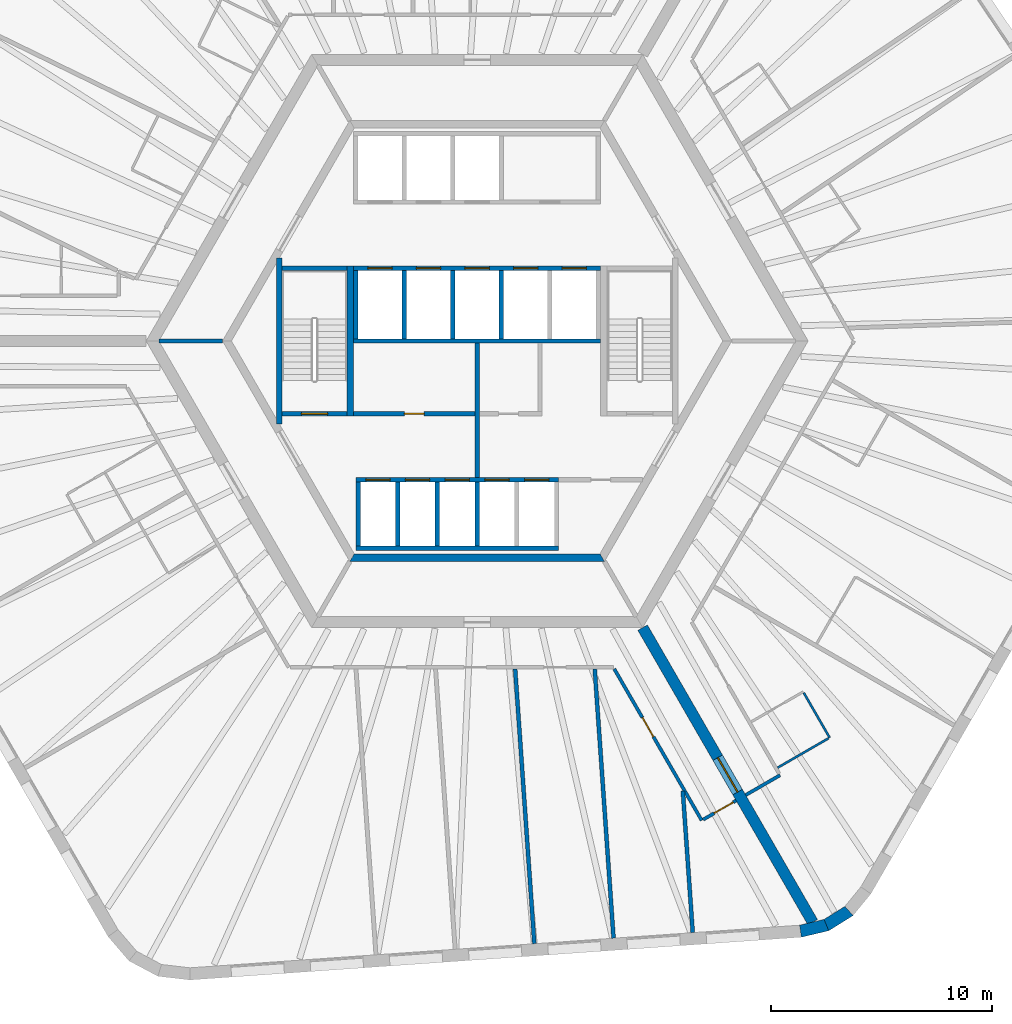
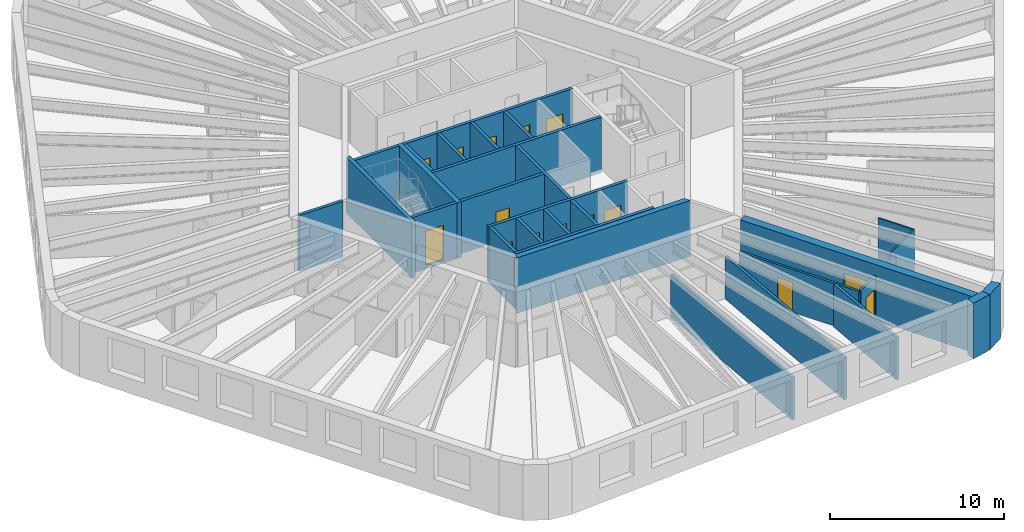
# One storey, part 4 of 10: 31 walls, 15 doors, 15 openings.
"""IFC4 building model written with IfcOpenShell, lengths in metres."""

import ifcopenshell
import ifcopenshell.guid

model = None  # the IFC model being written
_history = None  # IfcOwnerHistory: only IFC2X3 demands one
_inside = {}  # id of a spatial element -> (the spatial element, [elements in it])
_under = {}  # id of a project, library or spatial element -> (it, [spatial elements below it])
_declared = {}  # id of a project -> (the project, [libraries it declares])
_typed = {}  # id of a type object -> (the type object, [elements of that type])
_made_of = {}  # id of a material, layer set ... -> (it, [elements and type objects made of it])


def new_model(schema):
    """Start an empty IFC model of exactly this schema.

    Asked for "IFC4X3", IfcOpenShell would pick the latest addendum, in which some entities
    have other attributes; the version numbers below select the first issue.
    IFC2X3 requires an IfcOwnerHistory on every rooted entity: one is made here for all.
    """
    global model, _history
    if schema == "IFC4X3":
        model = ifcopenshell.file(schema_version=(4, 3, 0, 0))
    else:
        model = ifcopenshell.file(schema=schema)
    _inside.clear()
    _under.clear()
    _declared.clear()
    _typed.clear()
    _made_of.clear()
    _history = None
    if model.schema == "IFC2X3":
        org = make("IfcOrganization", Name="unknown")
        user = make(
            "IfcPersonAndOrganization",
            ThePerson=make("IfcPerson", FamilyName="unknown"),
            TheOrganization=org,
        )
        app = make(
            "IfcApplication",
            ApplicationDeveloper=org,
            Version="unknown",
            ApplicationFullName="unknown",
            ApplicationIdentifier="unknown",
        )
        _history = make(
            "IfcOwnerHistory",
            OwningUser=user,
            OwningApplication=app,
            ChangeAction="ADDED",
            CreationDate=0,
        )
    return model


def make(cls, **values):
    """One entity of the class cls with the attributes given. An attribute that is None is left unset."""
    return model.create_entity(
        cls, **{name: value for name, value in values.items() if value is not None}
    )


def rooted(cls, **values):
    """An entity with a GlobalId (a new one), such as an element, a storey or a relation."""
    return make(cls, GlobalId=ifcopenshell.guid.new(), OwnerHistory=_history, **values)


def si_unit(unit_type, name, prefix=None):
    """IfcSIUnit, for example si_unit("LENGTHUNIT", "METRE", prefix="MILLI")."""
    return make("IfcSIUnit", UnitType=unit_type, Prefix=prefix, Name=name)


def assignment(units):
    """IfcUnitAssignment: the units of a project."""
    return None if units is None else make("IfcUnitAssignment", Units=units)


def point(xyz):
    """IfcCartesianPoint."""
    return None if xyz is None else make("IfcCartesianPoint", Coordinates=xyz)


def direction(xyz):
    """IfcDirection."""
    return None if xyz is None else make("IfcDirection", DirectionRatios=xyz)


def frame(location, z_axis=None, x_axis=None):
    """IfcAxis2Placement3D, a coordinate frame: its origin and axes. An axis left out is left unset."""
    return make(
        "IfcAxis2Placement3D",
        Location=point(location),
        Axis=direction(z_axis),
        RefDirection=direction(x_axis),
    )


def frame_2d(location, x_axis=None):
    """IfcAxis2Placement2D, a coordinate frame in the plane: its origin and x axis."""
    return make(
        "IfcAxis2Placement2D", Location=point(location), RefDirection=direction(x_axis)
    )


def origin():
    """The frame at (0, 0, 0) with its axes left unset."""
    return frame((0.0, 0.0, 0.0))


def place(relative_to, where):
    """IfcLocalPlacement: puts the frame where relative to a parent placement (None: the world)."""
    return make(
        "IfcLocalPlacement", PlacementRelTo=relative_to, RelativePlacement=where
    )


def context(
    kind, dimensions, precision=None, world=None, true_north=None, identifier=None
):
    """IfcGeometricRepresentationContext, for example the 3D "Model" context."""
    return make(
        "IfcGeometricRepresentationContext",
        ContextIdentifier=identifier,
        ContextType=kind,
        CoordinateSpaceDimension=dimensions,
        Precision=precision,
        WorldCoordinateSystem=world,
        TrueNorth=true_north,
    )


def subcontext(parent, identifier, kind, view, scale=None):
    """IfcGeometricRepresentationSubContext, for example "Body" below "Model"."""
    return make(
        "IfcGeometricRepresentationSubContext",
        ContextIdentifier=identifier,
        ContextType=kind,
        ParentContext=parent,
        TargetScale=scale,
        TargetView=view,
    )


def project(units=None, contexts=None):
    """IfcProject with its units and contexts."""
    return rooted(
        "IfcProject",
        Name="project",
        RepresentationContexts=contexts,
        UnitsInContext=assignment(units),
    )


def spatial(cls, under=None, at=None, **own):
    """A site, building, storey or space (cls), placed at a placement, below another one or the project."""
    s = rooted(cls, ObjectPlacement=at, **own)
    if under is not None:
        _under.setdefault(under.id(), (under, []))[1].append(s)
    return s


def polyline(points):
    """IfcPolyline through the points."""
    return make("IfcPolyline", Points=[point(p) for p in points])


def profile(cls, at=None, kind="AREA", **sizes):
    """A parametric profile (cls). Its sizes go by their IFC names, for example OverallWidth=200.0."""
    return make(cls, ProfileType=kind, Position=at, **sizes)


def rectangle(**sizes):
    """IfcRectangleProfileDef."""
    return profile("IfcRectangleProfileDef", **sizes)


def outline(outer, holes=None, kind="AREA"):
    """IfcArbitraryClosedProfileDef: a profile drawn as a closed curve; with holes, ...WithVoids."""
    if holes is None:
        return make("IfcArbitraryClosedProfileDef", ProfileType=kind, OuterCurve=outer)
    return make(
        "IfcArbitraryProfileDefWithVoids",
        ProfileType=kind,
        OuterCurve=outer,
        InnerCurves=holes,
    )


def extrude(swept, where, along, depth):
    """IfcExtrudedAreaSolid: the profile swept, set in the frame where, extruded along a direction by depth."""
    return make(
        "IfcExtrudedAreaSolid",
        SweptArea=swept,
        Position=where,
        ExtrudedDirection=direction(along),
        Depth=depth,
    )


def shape(context_of_items, identifier, shape_type, items):
    """IfcShapeRepresentation: the items that make up one representation, for example the "Body"."""
    return make(
        "IfcShapeRepresentation",
        ContextOfItems=context_of_items,
        RepresentationIdentifier=identifier,
        RepresentationType=shape_type,
        Items=items,
    )


def material(Name=None, Category=None):
    """IfcMaterial."""
    return make("IfcMaterial", Name=Name, Category=Category)


def layer(
    of_material, thickness, ventilated=None, Name=None, Category=None, Priority=None
):
    """IfcMaterialLayer: one layer of a wall or slab, of a material (None: an air gap)."""
    return make(
        "IfcMaterialLayer",
        Material=of_material,
        LayerThickness=thickness,
        IsVentilated=ventilated,
        Name=Name,
        Category=Category,
        Priority=Priority,
    )


def layer_set(layers, Name=None):
    """IfcMaterialLayerSet."""
    return make("IfcMaterialLayerSet", MaterialLayers=layers, LayerSetName=Name)


def made_of(thing, what):
    """Note that an element or type object is made of a material, layer set ...; save() writes the relation."""
    if what is not None:
        _made_of.setdefault(what.id(), (what, []))[1].append(thing)
    return thing


def type_object(cls, material=None, **own):
    """A type object (cls), such as IfcWallType, which elements share."""
    return made_of(rooted(cls, **own), material)


def element(
    cls,
    number,
    at=None,
    inside=None,
    cuts=None,
    type_object=None,
    material=None,
    context=None,
    identifier="Body",
    shape_type=None,
    held_by="IfcProductDefinitionShape",
    body=None,
    shapes=None,
    **own,
):
    """One element of the class cls, such as IfcWall. Its Tag is "e" and its number.

    at: its placement. inside: the storey or other place that contains it. cuts: it is an
    opening in that element (IfcRelVoidsElement). A single representation is given by context,
    identifier, shape_type and body (its items); several are given by shapes. held_by: the class
    of the entity that holds the representations. save() writes the other relations.
    """
    e = rooted(cls, Tag="e%d" % number, ObjectPlacement=at, **own)
    if body is not None:
        shapes = [shape(context, identifier, shape_type, body)]
    if shapes is not None:
        e.Representation = make(held_by, Representations=shapes)
    if inside is not None:
        _inside.setdefault(inside.id(), (inside, []))[1].append(e)
    if cuts is not None:
        rooted(
            "IfcRelVoidsElement", RelatingBuildingElement=cuts, RelatedOpeningElement=e
        )
    if type_object is not None:
        _typed.setdefault(type_object.id(), (type_object, []))[1].append(e)
    return made_of(e, material)


def fill(opening, filler):
    """IfcRelFillsElement: the door or window that sits in an opening."""
    return rooted(
        "IfcRelFillsElement",
        RelatingOpeningElement=opening,
        RelatedBuildingElement=filler,
    )


def aggregate(whole, parts):
    """IfcRelAggregates: a whole, such as a stair, and the parts it consists of."""
    return rooted("IfcRelAggregates", RelatingObject=whole, RelatedObjects=parts)


def save(model, path):
    """Write the relations noted so far, then the file.

    IfcRelAggregates (storeys below a building ...), IfcRelContainedInSpatialStructure (elements
    in a storey), IfcRelDefinesByType, IfcRelAssociatesMaterial and IfcRelDeclares: one each for
    every whole, place, type object, material and project.
    """
    for whole, parts in _under.values():
        aggregate(whole, parts)
    for where, things in _inside.values():
        rooted(
            "IfcRelContainedInSpatialStructure",
            RelatedElements=things,
            RelatingStructure=where,
        )
    for kind, things in _typed.values():
        rooted("IfcRelDefinesByType", RelatedObjects=things, RelatingType=kind)
    for what, things in _made_of.values():
        rooted("IfcRelAssociatesMaterial", RelatedObjects=things, RelatingMaterial=what)
    for by, libraries in _declared.values():
        rooted("IfcRelDeclares", RelatingContext=by, RelatedDefinitions=libraries)
    model.write(path)


model = new_model("IFC4")

# Units and contexts
model_context = context("Model", 3, precision=1e-05, world=origin(), true_north=direction((0.0, 1.0)))
body_context = subcontext(model_context, "Body", "Model", "MODEL_VIEW")
ifc_project = project(units=[si_unit("LENGTHUNIT", "METRE"), si_unit("AREAUNIT", "SQUARE_METRE"), si_unit("VOLUMEUNIT", "CUBIC_METRE"), si_unit("PLANEANGLEUNIT", "RADIAN"), si_unit("MASSUNIT", "GRAM", prefix="KILO")], contexts=[model_context])

# Site, building, storey
site_placement = place(None, origin())
site = spatial("IfcSite", under=ifc_project, at=site_placement, CompositionType="ELEMENT")
building_placement = place(site_placement, origin())
building = spatial("IfcBuilding", under=site, at=building_placement, Name="Tarnside Tower", CompositionType="ELEMENT")
storey_placement = place(building_placement, frame((0.0, 0.0, 230.699951171875)))
storey = spatial("IfcBuildingStorey", under=building, at=storey_placement, Name="L55", CompositionType="ELEMENT", Elevation=230.699951171875)

# Walls
ifc_material_1 = material(Name="Gypsum board partition on steel studs", Category="steel")
ifc_layer_1 = layer(ifc_material_1, 0.10009765625)
ifc_layer_set_1 = layer_set([ifc_layer_1], Name="Bathroom wall 100")
wall_type_1 = type_object("IfcWallType", Name="Bathroom wall 100", PredefinedType="PARTITIONING", material=ifc_layer_set_1)
wall_1_placement = place(storey_placement, frame((14.811767578125, -15.95458984375, 0.0), z_axis=(0.0, 0.0, 1.0), x_axis=(0.499938297808, -0.866061024631, 0.0)))
element("IfcWall", 1, at=wall_1_placement, inside=storey, type_object=wall_type_1, Name="Bathroom wall 18088", PredefinedType="PARTITIONING", context=body_context, shape_type="SweptSolid", body=[
    extrude(rectangle(XDim=2.349853515625, YDim=0.10009765625, at=frame_2d((1.1748046875, 0.0))), origin(), (0.0, 0.0, 1.0), 2.98779296875),
])
wall_2_placement = place(storey_placement, frame((15.943359375, -18.0146484375, 0.0), z_axis=(0.0, 0.0, 1.0), x_axis=(-0.866004723184, -0.50003581814, 0.0)))
element("IfcWall", 2, at=wall_2_placement, inside=storey, type_object=wall_type_1, Name="Bathroom wall 18089", PredefinedType="PARTITIONING", context=body_context, shape_type="SweptSolid", body=[
    extrude(rectangle(XDim=2.675048828125, YDim=0.10009765625, at=frame_2d((1.33740234375, 0.0))), origin(), (0.0, 0.0, 1.0), 2.98779296875),
])
ifc_material_2 = material(Name="Concrete C50/60", Category="concrete")
ifc_layer_2 = layer(ifc_material_2, 0.35009765625)
ifc_layer_set_2 = layer_set([ifc_layer_2], Name="Core block wall 350 C50/60")
wall_type_2 = type_object("IfcWallType", Name="Core block wall 350 C50/60", PredefinedType="SHEAR", material=ifc_layer_set_2)
wall_3_placement = place(storey_placement, frame((-5.672607421875, -9.824951171875, -0.14990234375), z_axis=(0.0, 0.0, 1.0), x_axis=(1.0, 0.0, 0.0)))
element("IfcWall", 3, at=wall_3_placement, inside=storey, type_object=wall_type_2, Name="L55 core block wall face 4", PredefinedType="SHEAR", context=body_context, shape_type="SweptSolid", body=[
    extrude(outline(polyline([(-0.10107421875, -0.175048828125), (11.4462890625, -0.175048828125), (11.244140625, 0.175048828125), (0.10107421875, 0.175048828125), (-0.10107421875, -0.175048828125)])), origin(), (0.0, 0.0, 1.0), 3.89990234375),
])

# Wall, opening, door
ifc_material_3 = material(Name="Concrete C40/50", Category="concrete")
ifc_layer_3 = layer(ifc_material_3, 0.199951171875)
ifc_layer_set_3 = layer_set([ifc_layer_3], Name="Core room partition 200 C40/50")
wall_type_3 = type_object("IfcWallType", Name="Core room partition 200 C40/50", PredefinedType="PARTITIONING", material=ifc_layer_set_3)
wall_4_placement = place(storey_placement, frame((-5.60009765625, -3.300048828125, 0.0), z_axis=(0.0, 0.0, 1.0), x_axis=(1.0, 0.0, 0.0)))
wall_4 = element("IfcWall", 4, at=wall_4_placement, inside=storey, type_object=wall_type_3, Name="L55 core partition W3", PredefinedType="PARTITIONING", context=body_context, shape_type="SweptSolid", body=[
    extrude(rectangle(XDim=5.5, YDim=0.199951171875, at=frame_2d((2.75, 0.0))), origin(), (0.0, 0.0, 1.0), 3.650146484375),
])
opening_1_placement = place(wall_4_placement, frame((2.300048828125, 0.0, 0.0)))
opening_1 = element("IfcOpeningElement", 5, at=opening_1_placement, cuts=wall_4, Name="Opening CD-room", PredefinedType="OPENING", context=body_context, shape_type="SweptSolid", body=[
    extrude(rectangle(XDim=0.89990234375, YDim=2.10009765625, at=frame_2d((0.449951171875, 1.050048828125))), frame((0.0, 0.10986328125, 0.0), z_axis=(0.0, -1.0, 0.0), x_axis=(1.0, 0.0, 0.0)), (0.0, 0.0, 1.0), 0.219970703125),
])
ifc_material_4 = material(Name="Steel fire door", Category="steel")
door_type_1 = type_object("IfcDoorType", Name="Room door FD60 900x2100", OperationType="NOTDEFINED", PredefinedType="DOOR", material=ifc_material_4)
door_1_placement = place(opening_1_placement, origin())
door_1 = element("IfcDoor", 6, at=door_1_placement, inside=storey, type_object=door_type_1, Name="L55 core room door W3D", OperationType="SINGLE_SWING_LEFT", OverallHeight=2.10009765625, OverallWidth=0.89990234375, PredefinedType="DOOR", context=body_context, shape_type="SweptSolid", body=[
    extrude(rectangle(XDim=0.89990234375, YDim=2.10009765625, at=frame_2d((0.449951171875, 1.050048828125))), frame((0.0, 0.02490234375, 0.0), z_axis=(0.0, -1.0, 0.0), x_axis=(1.0, 0.0, 0.0)), (0.0, 0.0, 1.0), 0.050048828125),
])
fill(opening_1, door_1)

# Wall
wall_5_placement = place(storey_placement, frame((0.0, -6.199951171875, 0.0), z_axis=(0.0, 0.0, 1.0), x_axis=(0.0, 1.0, 0.0)))
element("IfcWall", 7, at=wall_5_placement, inside=storey, type_object=wall_type_3, Name="L55 core partition X0", PredefinedType="PARTITIONING", context=body_context, shape_type="SweptSolid", body=[
    extrude(rectangle(XDim=6.099853515625, YDim=0.199951171875, at=frame_2d((3.0498046875, 0.0))), origin(), (0.0, 0.0, 1.0), 3.650146484375),
])

# Wall, opening, door
ifc_material_5 = material(Name="Concrete C70/85", Category="concrete")
ifc_layer_4 = layer(ifc_material_5, 0.5)
ifc_layer_set_4 = layer_set([ifc_layer_4], Name="Core wall Z2 500 C70/85")
wall_type_4 = type_object("IfcWallType", Name="Core wall Z2 500 C70/85", PredefinedType="SHEAR", material=ifc_layer_set_4)
wall_6_placement = place(storey_placement, frame((7.505615234375, -13.0, -0.14990234375), z_axis=(0.0, 0.0, 1.0), x_axis=(0.499988271576, -0.866032175087, 0.0)))
wall_6 = element("IfcWall", 8, at=wall_6_placement, inside=storey, type_object=wall_type_4, Name="L55 spine wall 3", PredefinedType="SHEAR", context=body_context, shape_type="SweptSolid", body=[
    extrude(rectangle(XDim=15.423583984375, YDim=0.5, at=frame_2d((7.7119140625, 0.0))), origin(), (0.0, 0.0, 1.0), 3.89990234375),
])
opening_2_placement = place(wall_6_placement, frame((6.811767578125, 0.0, 0.14990234375)))
opening_2 = element("IfcOpeningElement", 9, at=opening_2_placement, cuts=wall_6, Name="Opening CD-SPN", PredefinedType="OPENING", context=body_context, shape_type="SweptSolid", body=[
    extrude(rectangle(XDim=1.800048828125, YDim=2.39990234375, at=frame_2d((0.89990234375, 1.199951171875))), frame((0.0, 0.260009765625, 0.0), z_axis=(0.0, -1.0, 0.0), x_axis=(1.0, 0.0, 0.0)), (0.0, 0.0, 1.0), 0.52001953125),
])
door_type_2 = type_object("IfcDoorType", Name="Spine passage double door FD60 1800x2400", OperationType="NOTDEFINED", PredefinedType="DOOR", material=ifc_material_4)
door_2_placement = place(opening_2_placement, origin())
door_2 = element("IfcDoor", 10, at=door_2_placement, inside=storey, type_object=door_type_2, Name="L55 spine passage door 3", OperationType="DOUBLE_DOOR_SINGLE_SWING", OverallHeight=2.39990234375, OverallWidth=1.800048828125, PredefinedType="DOOR", context=body_context, shape_type="SweptSolid", body=[
    extrude(rectangle(XDim=1.800048828125, YDim=2.39990234375, at=frame_2d((0.89990234375, 1.199951171875))), frame((0.0, 0.02490234375, 0.0), z_axis=(0.0, -1.0, 0.0), x_axis=(1.0, 0.0, 0.0)), (0.0, 0.0, 1.0), 0.050048828125),
])
fill(opening_2, door_2)

ifc_layer_5 = layer(ifc_material_1, 0.14990234375)
ifc_layer_set_5 = layer_set([ifc_layer_5], Name="Corridor wall 150 EI 60")
wall_type_5 = type_object("IfcWallType", Name="Corridor wall 150 EI 60", PredefinedType="PARTITIONING", material=ifc_layer_set_5)
wall_7_placement = place(storey_placement, frame((6.220947265625, -14.875, 0.0), z_axis=(0.0, 0.0, 1.0), x_axis=(0.499989830942, -0.866031274813, 0.0)))
wall_7 = element("IfcWall", 11, at=wall_7_placement, inside=storey, type_object=wall_type_5, Name="Corridor wall 18031", PredefinedType="PARTITIONING", context=body_context, shape_type="SweptSolid", body=[
    extrude(rectangle(XDim=7.930419921875, YDim=0.14990234375, at=frame_2d((3.96533203125, 0.0))), origin(), (0.0, 0.0, 1.0), 2.98779296875),
])
opening_3_placement = place(wall_7_placement, frame((2.552001953125, 0.0, 0.0)))
opening_3 = element("IfcOpeningElement", 12, at=opening_3_placement, cuts=wall_7, Name="Opening D-E1", PredefinedType="OPENING", context=body_context, shape_type="SweptSolid", body=[
    extrude(rectangle(XDim=1.0, YDim=2.10009765625, at=frame_2d((0.5, 1.050048828125))), frame((0.0, 0.0849609375, 0.0), z_axis=(0.0, -1.0, 0.0), x_axis=(1.0, 0.0, 0.0)), (0.0, 0.0, 1.0), 0.169921875),
])
ifc_material_6 = material(Name="Timber door leaf", Category="wood")
door_type_3 = type_object("IfcDoorType", Name="Unit entrance door 1000 FD30S", OperationType="NOTDEFINED", PredefinedType="DOOR", material=ifc_material_6)
door_3_placement = place(opening_3_placement, origin())
door_3 = element("IfcDoor", 13, at=door_3_placement, inside=storey, type_object=door_type_3, Name="Unit door 18022", OperationType="SINGLE_SWING_RIGHT", OverallHeight=2.10009765625, OverallWidth=1.0, PredefinedType="DOOR", context=body_context, shape_type="SweptSolid", body=[
    extrude(rectangle(XDim=1.0, YDim=2.10009765625, at=frame_2d((0.5, 1.050048828125))), frame((0.0, 0.02490234375, 0.0), z_axis=(0.0, -1.0, 0.0), x_axis=(1.0, 0.0, 0.0)), (0.0, 0.0, 1.0), 0.050048828125),
])
fill(opening_3, door_3)

wall_8_placement = place(storey_placement, frame((10.2509765625, -21.705322265625, 0.0), z_axis=(0.0, 0.0, 1.0), x_axis=(0.866013532718, 0.500020560727, 0.0)))
wall_8 = element("IfcWall", 14, at=wall_8_placement, inside=storey, type_object=wall_type_5, Name="Corridor wall 18033", PredefinedType="PARTITIONING", context=body_context, shape_type="SweptSolid", body=[
    extrude(rectangle(XDim=1.72509765625, YDim=0.14990234375, at=frame_2d((0.862548828125, 0.0))), origin(), (0.0, 0.0, 1.0), 2.98779296875),
])
opening_4_placement = place(wall_8_placement, frame((0.574951171875, 0.0, 0.0)))
opening_4 = element("IfcOpeningElement", 15, at=opening_4_placement, cuts=wall_8, Name="Opening D-E1", PredefinedType="OPENING", context=body_context, shape_type="SweptSolid", body=[
    extrude(rectangle(XDim=1.0, YDim=2.10009765625, at=frame_2d((0.5, 1.050048828125))), frame((0.0, 0.0849609375, 0.0), z_axis=(0.0, -1.0, 0.0), x_axis=(1.0, 0.0, 0.0)), (0.0, 0.0, 1.0), 0.169921875),
])
door_4_placement = place(opening_4_placement, origin())
door_4 = element("IfcDoor", 16, at=door_4_placement, inside=storey, type_object=door_type_3, Name="Unit door 18023", OperationType="SINGLE_SWING_LEFT", OverallHeight=2.10009765625, OverallWidth=1.0, PredefinedType="DOOR", context=body_context, shape_type="SweptSolid", body=[
    extrude(rectangle(XDim=1.0, YDim=2.10009765625, at=frame_2d((0.5, 1.050048828125))), frame((0.0, 0.02490234375, 0.0), z_axis=(0.0, -1.0, 0.0), x_axis=(1.0, 0.0, 0.0)), (0.0, 0.0, 1.0), 0.050048828125),
])
fill(opening_4, door_4)

# Walls
wall_9_placement = place(storey_placement, frame((12.177978515625, -20.5927734375, 0.0), z_axis=(0.0, 0.0, 1.0), x_axis=(0.866047807691, 0.499961193289, 0.0)))
element("IfcWall", 17, at=wall_9_placement, inside=storey, type_object=wall_type_5, Name="Corridor wall 18036", PredefinedType="PARTITIONING", context=body_context, shape_type="SweptSolid", body=[
    extrude(rectangle(XDim=1.800048828125, YDim=0.14990234375, at=frame_2d((0.89990234375, 0.0))), origin(), (0.0, 0.0, 1.0), 2.98779296875),
])
ifc_layer_6 = layer(ifc_material_1, 0.179931640625)
ifc_layer_set_6 = layer_set([ifc_layer_6], Name="Demising wall 180 EI 60")
wall_type_6 = type_object("IfcWallType", Name="Demising wall 180 EI 60", PredefinedType="PARTITIONING", material=ifc_layer_set_6)
wall_10_placement = place(storey_placement, frame((2.59521484375, -27.33544921875, 0.0), z_axis=(0.0, 0.0, 1.0), x_axis=(-0.069757939761, 0.997563947745, 0.0)))
element("IfcWall", 18, at=wall_10_placement, inside=storey, type_object=wall_type_6, Name="Demising wall 18084", PredefinedType="PARTITIONING", context=body_context, shape_type="SweptSolid", body=[
    extrude(rectangle(XDim=12.490966796875, YDim=0.179931640625, at=frame_2d((6.24560546875, 0.0))), origin(), (0.0, 0.0, 1.0), 2.98779296875),
])
wall_11_placement = place(storey_placement, frame((6.1865234375, -27.08447265625, 0.0), z_axis=(0.0, 0.0, 1.0), x_axis=(-0.069755682409, 0.997564105595, 0.0)))
element("IfcWall", 19, at=wall_11_placement, inside=storey, type_object=wall_type_6, Name="Demising wall 18085", PredefinedType="PARTITIONING", context=body_context, shape_type="SweptSolid", body=[
    extrude(rectangle(XDim=12.2392578125, YDim=0.179931640625, at=frame_2d((6.11962890625, 0.0))), origin(), (0.0, 0.0, 1.0), 2.98779296875),
])
wall_12_placement = place(storey_placement, frame((9.777587890625, -26.833251953125, 0.0), z_axis=(0.0, 0.0, 1.0), x_axis=(-0.069733334443, 0.997565668048, 0.0)))
element("IfcWall", 20, at=wall_12_placement, inside=storey, type_object=wall_type_6, Name="Demising wall 18086", PredefinedType="PARTITIONING", context=body_context, shape_type="SweptSolid", body=[
    extrude(rectangle(XDim=6.44189453125, YDim=0.179931640625, at=frame_2d((3.220947265625, 0.0))), origin(), (0.0, 0.0, 1.0), 2.98779296875),
])

# Wall, openings, doors
ifc_layer_7 = layer(ifc_material_3, 0.199951171875)
ifc_layer_set_7 = layer_set([ifc_layer_7], Name="Lift shaft wall 200 C40/50")
wall_type_7 = type_object("IfcWallType", Name="Lift shaft wall 200 C40/50", PredefinedType="SHEAR", material=ifc_layer_set_7)
wall_13_placement = place(storey_placement, frame((-5.60009765625, 3.300048828125, -0.25), z_axis=(0.0, 0.0, 1.0), x_axis=(1.0, 0.0, 0.0)))
wall_13 = element("IfcWall", 21, at=wall_13_placement, inside=storey, type_object=wall_type_7, Name="L55 lift shaft front wall R2", PredefinedType="SHEAR", context=body_context, shape_type="SweptSolid", body=[
    extrude(rectangle(XDim=11.2001953125, YDim=0.199951171875, at=frame_2d((5.60009765625, 0.0))), origin(), (0.0, 0.0, 1.0), 3.900146484375),
])
opening_5_placement = place(wall_13_placement, frame((0.64990234375, 0.0, 0.25)))
opening_5 = element("IfcOpeningElement", 22, at=opening_5_placement, cuts=wall_13, Name="Opening LD", PredefinedType="OPENING", context=body_context, shape_type="SweptSolid", body=[
    extrude(rectangle(XDim=1.10009765625, YDim=2.10009765625, at=frame_2d((0.550048828125, 1.050048828125))), frame((0.0, 0.10986328125, 0.0), z_axis=(0.0, -1.0, 0.0), x_axis=(1.0, 0.0, 0.0)), (0.0, 0.0, 1.0), 0.219970703125),
])
opening_6_placement = place(wall_13_placement, frame((2.85009765625, 0.0, 0.25)))
opening_6 = element("IfcOpeningElement", 23, at=opening_6_placement, cuts=wall_13, Name="Opening LD", PredefinedType="OPENING", context=body_context, shape_type="SweptSolid", body=[
    extrude(rectangle(XDim=1.10009765625, YDim=2.10009765625, at=frame_2d((0.550048828125, 1.050048828125))), frame((0.0, 0.10986328125, 0.0), z_axis=(0.0, -1.0, 0.0), x_axis=(1.0, 0.0, 0.0)), (0.0, 0.0, 1.0), 0.219970703125),
])
opening_7_placement = place(wall_13_placement, frame((5.050048828125, 0.0, 0.25)))
opening_7 = element("IfcOpeningElement", 24, at=opening_7_placement, cuts=wall_13, Name="Opening LD", PredefinedType="OPENING", context=body_context, shape_type="SweptSolid", body=[
    extrude(rectangle(XDim=1.10009765625, YDim=2.10009765625, at=frame_2d((0.550048828125, 1.050048828125))), frame((0.0, 0.10986328125, 0.0), z_axis=(0.0, -1.0, 0.0), x_axis=(1.0, 0.0, 0.0)), (0.0, 0.0, 1.0), 0.219970703125),
])
opening_8_placement = place(wall_13_placement, frame((7.25, 0.0, 0.25)))
opening_8 = element("IfcOpeningElement", 25, at=opening_8_placement, cuts=wall_13, Name="Opening LD", PredefinedType="OPENING", context=body_context, shape_type="SweptSolid", body=[
    extrude(rectangle(XDim=1.10009765625, YDim=2.10009765625, at=frame_2d((0.550048828125, 1.050048828125))), frame((0.0, 0.10986328125, 0.0), z_axis=(0.0, -1.0, 0.0), x_axis=(1.0, 0.0, 0.0)), (0.0, 0.0, 1.0), 0.219970703125),
])
opening_9_placement = place(wall_13_placement, frame((9.449951171875, 0.0, 0.25)))
opening_9 = element("IfcOpeningElement", 26, at=opening_9_placement, cuts=wall_13, Name="Opening LD", PredefinedType="OPENING", context=body_context, shape_type="SweptSolid", body=[
    extrude(rectangle(XDim=1.10009765625, YDim=2.10009765625, at=frame_2d((0.550048828125, 1.050048828125))), frame((0.0, 0.10986328125, 0.0), z_axis=(0.0, -1.0, 0.0), x_axis=(1.0, 0.0, 0.0)), (0.0, 0.0, 1.0), 0.219970703125),
])
ifc_material_7 = material(Name="Stainless steel", Category="steel")
door_type_4 = type_object("IfcDoorType", Name="Lift landing door 1100x2100", OperationType="NOTDEFINED", PredefinedType="DOOR", material=ifc_material_7)
door_5_placement = place(opening_5_placement, origin())
door_5 = element("IfcDoor", 27, at=door_5_placement, inside=storey, type_object=door_type_4, Name="Mid-rise lift 4 landing door L55", OperationType="SLIDING_TO_LEFT", OverallHeight=2.10009765625, OverallWidth=1.10009765625, PredefinedType="DOOR", context=body_context, shape_type="SweptSolid", body=[
    extrude(rectangle(XDim=1.10009765625, YDim=2.10009765625, at=frame_2d((0.550048828125, 1.050048828125))), frame((0.0, 0.02490234375, 0.0), z_axis=(0.0, -1.0, 0.0), x_axis=(1.0, 0.0, 0.0)), (0.0, 0.0, 1.0), 0.050048828125),
])
fill(opening_5, door_5)
door_6_placement = place(opening_6_placement, origin())
door_6 = element("IfcDoor", 28, at=door_6_placement, inside=storey, type_object=door_type_4, Name="Mid-rise lift 5 landing door L55", OperationType="SLIDING_TO_LEFT", OverallHeight=2.10009765625, OverallWidth=1.10009765625, PredefinedType="DOOR", context=body_context, shape_type="SweptSolid", body=[
    extrude(rectangle(XDim=1.10009765625, YDim=2.10009765625, at=frame_2d((0.550048828125, 1.050048828125))), frame((0.0, 0.02490234375, 0.0), z_axis=(0.0, -1.0, 0.0), x_axis=(1.0, 0.0, 0.0)), (0.0, 0.0, 1.0), 0.050048828125),
])
fill(opening_6, door_6)
door_7_placement = place(opening_7_placement, origin())
door_7 = element("IfcDoor", 29, at=door_7_placement, inside=storey, type_object=door_type_4, Name="Mid-rise lift 6 landing door L55", OperationType="SLIDING_TO_LEFT", OverallHeight=2.10009765625, OverallWidth=1.10009765625, PredefinedType="DOOR", context=body_context, shape_type="SweptSolid", body=[
    extrude(rectangle(XDim=1.10009765625, YDim=2.10009765625, at=frame_2d((0.550048828125, 1.050048828125))), frame((0.0, 0.02490234375, 0.0), z_axis=(0.0, -1.0, 0.0), x_axis=(1.0, 0.0, 0.0)), (0.0, 0.0, 1.0), 0.050048828125),
])
fill(opening_7, door_7)
door_8_placement = place(opening_8_placement, origin())
door_8 = element("IfcDoor", 30, at=door_8_placement, inside=storey, type_object=door_type_4, Name="High sky-lobby shuttle 1 landing door L55", OperationType="SLIDING_TO_LEFT", OverallHeight=2.10009765625, OverallWidth=1.10009765625, PredefinedType="DOOR", context=body_context, shape_type="SweptSolid", body=[
    extrude(rectangle(XDim=1.10009765625, YDim=2.10009765625, at=frame_2d((0.550048828125, 1.050048828125))), frame((0.0, 0.02490234375, 0.0), z_axis=(0.0, -1.0, 0.0), x_axis=(1.0, 0.0, 0.0)), (0.0, 0.0, 1.0), 0.050048828125),
])
fill(opening_8, door_8)
door_9_placement = place(opening_9_placement, origin())
door_9 = element("IfcDoor", 31, at=door_9_placement, inside=storey, type_object=door_type_4, Name="Express sky-lobby shuttle 2 landing door L55", OperationType="SLIDING_TO_LEFT", OverallHeight=2.10009765625, OverallWidth=1.10009765625, PredefinedType="DOOR", context=body_context, shape_type="SweptSolid", body=[
    extrude(rectangle(XDim=1.10009765625, YDim=2.10009765625, at=frame_2d((0.550048828125, 1.050048828125))), frame((0.0, 0.02490234375, 0.0), z_axis=(0.0, -1.0, 0.0), x_axis=(1.0, 0.0, 0.0)), (0.0, 0.0, 1.0), 0.050048828125),
])
fill(opening_9, door_9)

# Walls
wall_14_placement = place(storey_placement, frame((-5.60009765625, 0.0, -0.25), z_axis=(0.0, 0.0, 1.0), x_axis=(1.0, 0.0, 0.0)))
element("IfcWall", 32, at=wall_14_placement, inside=storey, type_object=wall_type_7, Name="L55 lift shaft back wall R2", PredefinedType="SHEAR", context=body_context, shape_type="SweptSolid", body=[
    extrude(rectangle(XDim=11.2001953125, YDim=0.199951171875, at=frame_2d((5.60009765625, 0.0))), origin(), (0.0, 0.0, 1.0), 3.900146484375),
])
for number, where, z_axis, x_axis, name in (
    (33, (-5.5, 0.10009765625, -0.25), (0.0, 0.0, 1.0), (0.0, 1.0, 0.0), "L55 lift shaft partition R21"),
    (34, (-3.300048828125, 0.10009765625, -0.25), (0.0, 0.0, 1.0), (0.0, 1.0, 0.0), "L55 lift shaft partition R22"),
    (35, (-1.10009765625, 0.10009765625, -0.25), (0.0, 0.0, 1.0), (0.0, 1.0, 0.0), "L55 lift shaft partition R23"),
    (36, (1.10009765625, 0.10009765625, -0.25), (0.0, 0.0, 1.0), (0.0, 1.0, 0.0), "L55 lift shaft partition R24"),
):
    element("IfcWall", number, at=place(storey_placement, frame(where, z_axis=z_axis, x_axis=x_axis)), inside=storey, type_object=wall_type_7, Name=name, PredefinedType="SHEAR", context=body_context, shape_type="SweptSolid", body=[
        extrude(rectangle(XDim=3.099853515625, YDim=0.199951171875, at=frame_2d((1.5498046875, 0.0))), origin(), (0.0, 0.0, 1.0), 3.900146484375),
    ])

# Wall, openings, doors
wall_15_placement = place(storey_placement, frame((-5.5, -6.300048828125, -0.25), z_axis=(0.0, 0.0, 1.0), x_axis=(1.0, 0.0, 0.0)))
wall_15 = element("IfcWall", 37, at=wall_15_placement, inside=storey, type_object=wall_type_7, Name="L55 lift shaft front wall R4", PredefinedType="SHEAR", context=body_context, shape_type="SweptSolid", body=[
    extrude(rectangle(XDim=9.199951171875, YDim=0.199951171875, at=frame_2d((4.60009765625, 0.0))), origin(), (0.0, 0.0, 1.0), 3.900146484375),
])
opening_10_placement = place(wall_15_placement, frame((0.449951171875, 0.0, 0.25)))
opening_10 = element("IfcOpeningElement", 38, at=opening_10_placement, cuts=wall_15, Name="Opening LDF", PredefinedType="OPENING", context=body_context, shape_type="SweptSolid", body=[
    extrude(rectangle(XDim=1.10009765625, YDim=2.10009765625, at=frame_2d((0.550048828125, 1.050048828125))), frame((0.0, 0.10986328125, 0.0), z_axis=(0.0, -1.0, 0.0), x_axis=(1.0, 0.0, 0.0)), (0.0, 0.0, 1.0), 0.219970703125),
])
opening_11_placement = place(wall_15_placement, frame((2.25, 0.0, 0.25)))
opening_11 = element("IfcOpeningElement", 39, at=opening_11_placement, cuts=wall_15, Name="Opening LDF", PredefinedType="OPENING", context=body_context, shape_type="SweptSolid", body=[
    extrude(rectangle(XDim=1.10009765625, YDim=2.10009765625, at=frame_2d((0.550048828125, 1.050048828125))), frame((0.0, 0.10986328125, 0.0), z_axis=(0.0, -1.0, 0.0), x_axis=(1.0, 0.0, 0.0)), (0.0, 0.0, 1.0), 0.219970703125),
])
opening_12_placement = place(wall_15_placement, frame((4.050048828125, 0.0, 0.25)))
opening_12 = element("IfcOpeningElement", 40, at=opening_12_placement, cuts=wall_15, Name="Opening LDF", PredefinedType="OPENING", context=body_context, shape_type="SweptSolid", body=[
    extrude(rectangle(XDim=1.10009765625, YDim=2.10009765625, at=frame_2d((0.550048828125, 1.050048828125))), frame((0.0, 0.10986328125, 0.0), z_axis=(0.0, -1.0, 0.0), x_axis=(1.0, 0.0, 0.0)), (0.0, 0.0, 1.0), 0.219970703125),
])
opening_13_placement = place(wall_15_placement, frame((5.85009765625, 0.0, 0.25)))
opening_13 = element("IfcOpeningElement", 41, at=opening_13_placement, cuts=wall_15, Name="Opening LDF", PredefinedType="OPENING", context=body_context, shape_type="SweptSolid", body=[
    extrude(rectangle(XDim=1.10009765625, YDim=2.10009765625, at=frame_2d((0.550048828125, 1.050048828125))), frame((0.0, 0.10986328125, 0.0), z_axis=(0.0, -1.0, 0.0), x_axis=(1.0, 0.0, 0.0)), (0.0, 0.0, 1.0), 0.219970703125),
])
opening_14_placement = place(wall_15_placement, frame((7.64990234375, 0.0, 0.25)))
opening_14 = element("IfcOpeningElement", 42, at=opening_14_placement, cuts=wall_15, Name="Opening LDF", PredefinedType="OPENING", context=body_context, shape_type="SweptSolid", body=[
    extrude(rectangle(XDim=1.10009765625, YDim=2.10009765625, at=frame_2d((0.550048828125, 1.050048828125))), frame((0.0, 0.10986328125, 0.0), z_axis=(0.0, -1.0, 0.0), x_axis=(1.0, 0.0, 0.0)), (0.0, 0.0, 1.0), 0.219970703125),
])
door_type_5 = type_object("IfcDoorType", Name="Lift landing door 1100x2100 EI 120", OperationType="NOTDEFINED", PredefinedType="DOOR", material=ifc_material_7)
door_10_placement = place(opening_10_placement, origin())
door_10 = element("IfcDoor", 43, at=door_10_placement, inside=storey, type_object=door_type_5, Name="Firefighting lift 1 landing door L55", OperationType="SLIDING_TO_LEFT", OverallHeight=2.10009765625, OverallWidth=1.10009765625, PredefinedType="DOOR", context=body_context, shape_type="SweptSolid", body=[
    extrude(rectangle(XDim=1.10009765625, YDim=2.10009765625, at=frame_2d((0.550048828125, 1.050048828125))), frame((0.0, 0.02490234375, 0.0), z_axis=(0.0, -1.0, 0.0), x_axis=(1.0, 0.0, 0.0)), (0.0, 0.0, 1.0), 0.050048828125),
])
fill(opening_10, door_10)
door_11_placement = place(opening_11_placement, origin())
door_11 = element("IfcDoor", 44, at=door_11_placement, inside=storey, type_object=door_type_5, Name="Firefighting lift 2 landing door L55", OperationType="SLIDING_TO_LEFT", OverallHeight=2.10009765625, OverallWidth=1.10009765625, PredefinedType="DOOR", context=body_context, shape_type="SweptSolid", body=[
    extrude(rectangle(XDim=1.10009765625, YDim=2.10009765625, at=frame_2d((0.550048828125, 1.050048828125))), frame((0.0, 0.02490234375, 0.0), z_axis=(0.0, -1.0, 0.0), x_axis=(1.0, 0.0, 0.0)), (0.0, 0.0, 1.0), 0.050048828125),
])
fill(opening_11, door_11)
door_12_placement = place(opening_12_placement, origin())
door_12 = element("IfcDoor", 45, at=door_12_placement, inside=storey, type_object=door_type_5, Name="Firefighting lift 3 landing door L55", OperationType="SLIDING_TO_LEFT", OverallHeight=2.10009765625, OverallWidth=1.10009765625, PredefinedType="DOOR", context=body_context, shape_type="SweptSolid", body=[
    extrude(rectangle(XDim=1.10009765625, YDim=2.10009765625, at=frame_2d((0.550048828125, 1.050048828125))), frame((0.0, 0.02490234375, 0.0), z_axis=(0.0, -1.0, 0.0), x_axis=(1.0, 0.0, 0.0)), (0.0, 0.0, 1.0), 0.050048828125),
])
fill(opening_12, door_12)
door_13_placement = place(opening_13_placement, origin())
door_13 = element("IfcDoor", 46, at=door_13_placement, inside=storey, type_object=door_type_5, Name="Firefighting lift 4 landing door L55", OperationType="SLIDING_TO_LEFT", OverallHeight=2.10009765625, OverallWidth=1.10009765625, PredefinedType="DOOR", context=body_context, shape_type="SweptSolid", body=[
    extrude(rectangle(XDim=1.10009765625, YDim=2.10009765625, at=frame_2d((0.550048828125, 1.050048828125))), frame((0.0, 0.02490234375, 0.0), z_axis=(0.0, -1.0, 0.0), x_axis=(1.0, 0.0, 0.0)), (0.0, 0.0, 1.0), 0.050048828125),
])
fill(opening_13, door_13)
door_14_placement = place(opening_14_placement, origin())
door_14 = element("IfcDoor", 47, at=door_14_placement, inside=storey, type_object=door_type_5, Name="Firefighting lift 5 landing door L55", OperationType="SLIDING_TO_LEFT", OverallHeight=2.10009765625, OverallWidth=1.10009765625, PredefinedType="DOOR", context=body_context, shape_type="SweptSolid", body=[
    extrude(rectangle(XDim=1.10009765625, YDim=2.10009765625, at=frame_2d((0.550048828125, 1.050048828125))), frame((0.0, 0.02490234375, 0.0), z_axis=(0.0, -1.0, 0.0), x_axis=(1.0, 0.0, 0.0)), (0.0, 0.0, 1.0), 0.050048828125),
])
fill(opening_14, door_14)

# Walls
wall_16_placement = place(storey_placement, frame((-5.5, -9.39990234375, -0.25), z_axis=(0.0, 0.0, 1.0), x_axis=(1.0, 0.0, 0.0)))
element("IfcWall", 48, at=wall_16_placement, inside=storey, type_object=wall_type_7, Name="L55 lift shaft back wall R4", PredefinedType="SHEAR", context=body_context, shape_type="SweptSolid", body=[
    extrude(rectangle(XDim=9.199951171875, YDim=0.199951171875, at=frame_2d((4.60009765625, 0.0))), origin(), (0.0, 0.0, 1.0), 3.900146484375),
])
for number, where, z_axis, x_axis, name in (
    (49, (-5.39990234375, -9.300048828125, -0.25), (0.0, 0.0, 1.0), (0.0, 1.0, 0.0), "L55 lift shaft partition R41"),
    (50, (-3.60009765625, -9.300048828125, -0.25), (0.0, 0.0, 1.0), (0.0, 1.0, 0.0), "L55 lift shaft partition R42"),
    (51, (-1.800048828125, -9.300048828125, -0.25), (0.0, 0.0, 1.0), (0.0, 1.0, 0.0), "L55 lift shaft partition R43"),
    (52, (0.0, -9.300048828125, -0.25), (0.0, 0.0, 1.0), (0.0, 1.0, 0.0), "L55 lift shaft partition R44"),
):
    element("IfcWall", number, at=place(storey_placement, frame(where, z_axis=z_axis, x_axis=x_axis)), inside=storey, type_object=wall_type_7, Name=name, PredefinedType="SHEAR", context=body_context, shape_type="SweptSolid", body=[
        extrude(rectangle(XDim=2.900146484375, YDim=0.199951171875, at=frame_2d((1.4501953125, 0.0))), origin(), (0.0, 0.0, 1.0), 3.900146484375),
    ])
wall_17_placement = place(storey_placement, frame((-11.547119140625, 0.0, -0.14990234375), z_axis=(0.0, 0.0, 1.0), x_axis=(-1.0, 0.0, 0.0)))
element("IfcWall", 53, at=wall_17_placement, inside=storey, type_object=wall_type_7, Name="L55 core partition AR180", PredefinedType="SHEAR", context=body_context, shape_type="SweptSolid", body=[
    extrude(rectangle(XDim=2.88671875, YDim=0.199951171875, at=frame_2d((1.443359375, 0.0))), origin(), (0.0, 0.0, 1.0), 3.89990234375),
])
wall_18_placement = place(storey_placement, frame((-8.85009765625, 3.300048828125, -0.25), z_axis=(0.0, 0.0, 1.0), x_axis=(1.0, 0.0, 0.0)))
element("IfcWall", 54, at=wall_18_placement, inside=storey, type_object=wall_type_7, Name="L55 stair 2 enclosure cap wall n", PredefinedType="SHEAR", context=body_context, shape_type="SweptSolid", body=[
    extrude(rectangle(XDim=2.9501953125, YDim=0.199951171875, at=frame_2d((1.47509765625, 0.0))), origin(), (0.0, 0.0, 1.0), 3.900146484375),
])

# Wall, opening, door
wall_19_placement = place(storey_placement, frame((-8.85009765625, -3.300048828125, -0.25), z_axis=(0.0, 0.0, 1.0), x_axis=(1.0, 0.0, 0.0)))
wall_19 = element("IfcWall", 55, at=wall_19_placement, inside=storey, type_object=wall_type_7, Name="L55 stair 2 enclosure cap wall s", PredefinedType="SHEAR", context=body_context, shape_type="SweptSolid", body=[
    extrude(rectangle(XDim=2.9501953125, YDim=0.199951171875, at=frame_2d((1.47509765625, 0.0))), origin(), (0.0, 0.0, 1.0), 3.900146484375),
])
opening_15_placement = place(wall_19_placement, frame((0.875, 0.0, 0.25)))
opening_15 = element("IfcOpeningElement", 56, at=opening_15_placement, cuts=wall_19, Name="Opening CD-STR", PredefinedType="OPENING", context=body_context, shape_type="SweptSolid", body=[
    extrude(rectangle(XDim=1.199951171875, YDim=2.39990234375, at=frame_2d((0.60009765625, 1.199951171875))), frame((0.0, 0.10986328125, 0.0), z_axis=(0.0, -1.0, 0.0), x_axis=(1.0, 0.0, 0.0)), (0.0, 0.0, 1.0), 0.219970703125),
])
door_type_6 = type_object("IfcDoorType", Name="Stair door FD60S 1200x2400", OperationType="NOTDEFINED", PredefinedType="DOOR", material=ifc_material_4)
door_15_placement = place(opening_15_placement, origin())
door_15 = element("IfcDoor", 57, at=door_15_placement, inside=storey, type_object=door_type_6, Name="L55 stair 2 door", OperationType="SINGLE_SWING_LEFT", OverallHeight=2.39990234375, OverallWidth=1.199951171875, PredefinedType="DOOR", context=body_context, shape_type="SweptSolid", body=[
    extrude(rectangle(XDim=1.199951171875, YDim=2.39990234375, at=frame_2d((0.60009765625, 1.199951171875))), frame((0.0, 0.02490234375, 0.0), z_axis=(0.0, -1.0, 0.0), x_axis=(1.0, 0.0, 0.0)), (0.0, 0.0, 1.0), 0.050048828125),
])
fill(opening_15, door_15)

# Walls
ifc_layer_8 = layer(ifc_material_3, 0.25)
ifc_layer_set_8 = layer_set([ifc_layer_8], Name="Stair enclosure wall 250 C40/50")
wall_type_8 = type_object("IfcWallType", Name="Stair enclosure wall 250 C40/50", PredefinedType="SHEAR", material=ifc_layer_set_8)
wall_20_placement = place(storey_placement, frame((-8.97509765625, -3.7548828125, -0.25), z_axis=(0.0, 0.0, 1.0), x_axis=(0.0, 1.0, 0.0)))
element("IfcWall", 58, at=wall_20_placement, inside=storey, type_object=wall_type_8, Name="L55 stair 2 enclosure wall outer", PredefinedType="SHEAR", context=body_context, shape_type="SweptSolid", body=[
    extrude(rectangle(XDim=7.509765625, YDim=0.25, at=frame_2d((3.7548828125, 0.0))), origin(), (0.0, 0.0, 1.0), 3.900146484375),
])
ifc_layer_9 = layer(ifc_material_3, 0.300048828125)
ifc_layer_set_9 = layer_set([ifc_layer_9], Name="Stair enclosure wall 300 C40/50")
wall_type_9 = type_object("IfcWallType", Name="Stair enclosure wall 300 C40/50", PredefinedType="SHEAR", material=ifc_layer_set_9)
wall_21_placement = place(storey_placement, frame((-5.75, -3.39990234375, -0.25), z_axis=(0.0, 0.0, 1.0), x_axis=(0.0, 1.0, 0.0)))
element("IfcWall", 59, at=wall_21_placement, inside=storey, type_object=wall_type_9, Name="L55 stair 2 enclosure wall inner", PredefinedType="SHEAR", context=body_context, shape_type="SweptSolid", body=[
    extrude(rectangle(XDim=6.7998046875, YDim=0.300048828125, at=frame_2d((3.39990234375, 0.0))), origin(), (0.0, 0.0, 1.0), 3.900146484375),
])
ifc_material_8 = material(Name="Facing brick", Category="masonry")
ifc_layer_10 = layer(ifc_material_8, 0.10205078125)
ifc_material_9 = material(Name="Concrete C60/75 precast", Category="concrete")
ifc_layer_11 = layer(ifc_material_9, 0.347900390625)
ifc_material_10 = material(Name="Mineral wool insulation")
ifc_layer_12 = layer(ifc_material_10, 0.10009765625)
ifc_layer_set_10 = layer_set([ifc_layer_10, ifc_layer_11, ifc_layer_12], Name="Tube wall 550 brick faced")
wall_type_10 = type_object("IfcWallType", Name="Tube wall 550 brick faced", PredefinedType="SOLIDWALL", material=ifc_layer_set_10)
wall_22_placement = place(storey_placement, frame((14.663818359375, -26.767333984375, -0.14990234375), z_axis=(0.0, 0.0, 1.0), x_axis=(0.973063591128, 0.230536868247, 0.0)))
element("IfcWall", 60, at=wall_22_placement, inside=storey, type_object=wall_type_10, Name="Tube wall L55 F4 chord 13", PredefinedType="SOLIDWALL", context=body_context, shape_type="SweptSolid", body=[
    extrude(outline(polyline([(-0.0224609375, -0.27490234375), (1.25341796875, -0.27490234375), (1.1630859375, 0.27490234375), (0.0224609375, 0.27490234375), (-0.0224609375, -0.27490234375)])), origin(), (0.0, 0.0, 1.0), 3.89990234375),
])
wall_23_placement = place(storey_placement, frame((15.839599609375, -26.48876953125, -0.14990234375), z_axis=(0.0, 0.0, 1.0), x_axis=(0.848009655012, 0.52998077796, 0.0)))
element("IfcWall", 61, at=wall_23_placement, inside=storey, type_object=wall_type_10, Name="Tube wall L55 F4 chord 14", PredefinedType="SOLIDWALL", context=body_context, shape_type="SweptSolid", body=[
    extrude(outline(polyline([(-0.045166015625, -0.27490234375), (1.25341796875, -0.27490234375), (1.1630859375, 0.27490234375), (0.045166015625, 0.27490234375), (-0.045166015625, -0.27490234375)])), origin(), (0.0, 0.0, 1.0), 3.89990234375),
])

save(model, "model.ifc")
